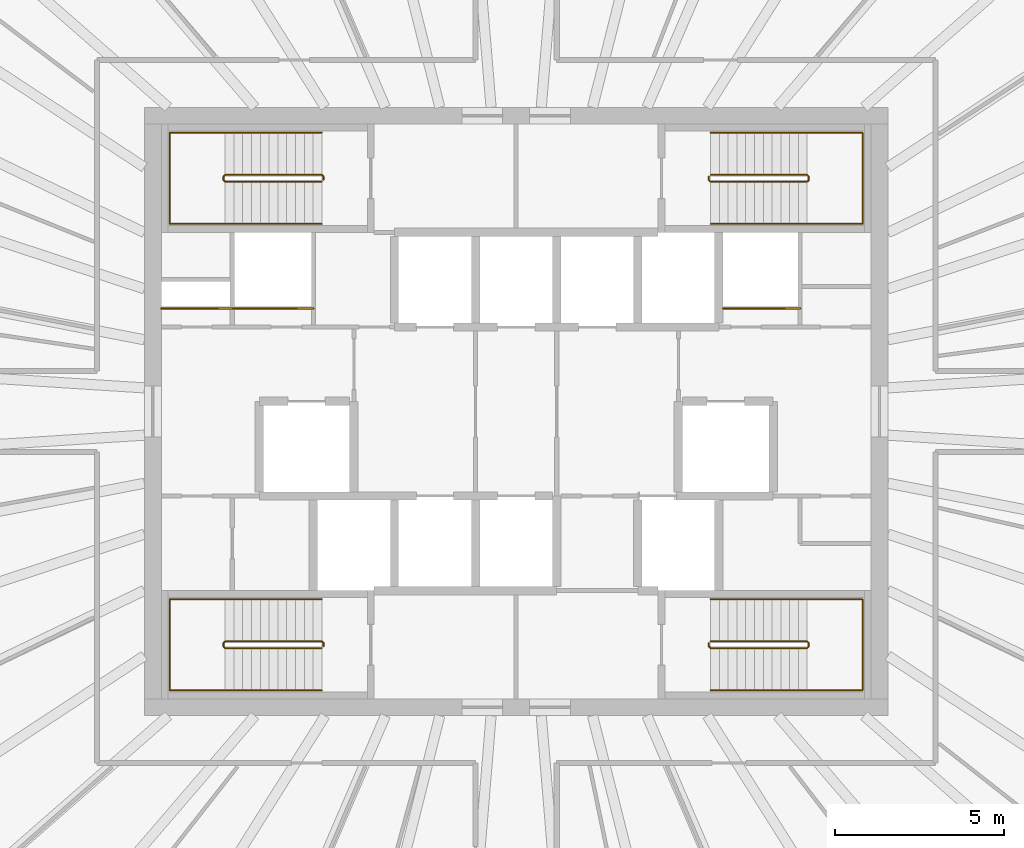
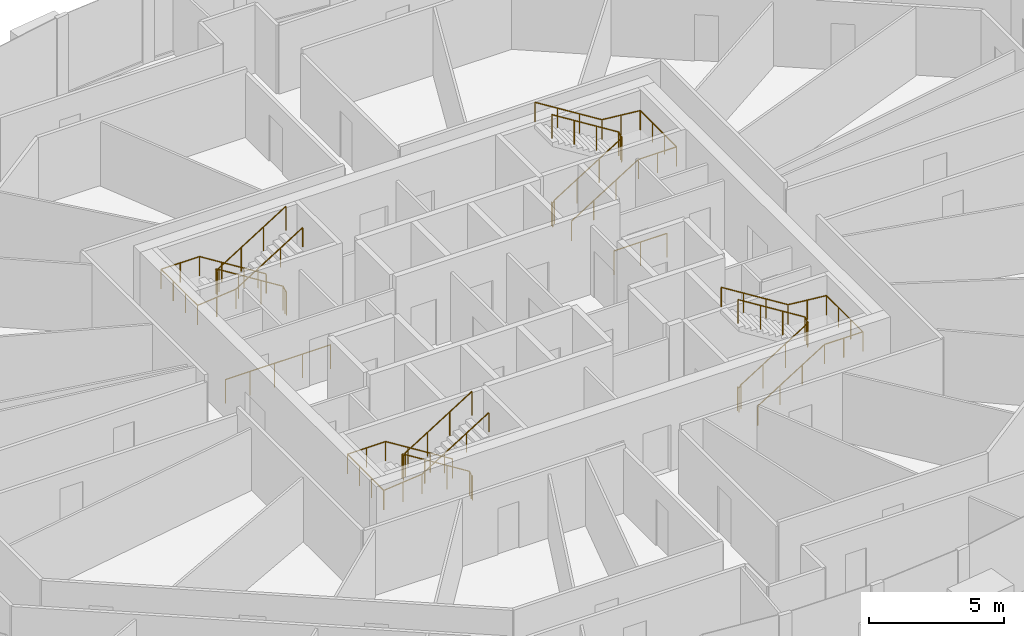
# One storey, part 12 of 12: 11 railings.
"""IFC4 building model written with IfcOpenShell, lengths in metres."""

from ifc_helpers import new_model, si_unit, direction, frame, origin, origin_2d, place, context, subcontext, project, spatial, circle, extrude, source, transform, mapped, material, type_object, element, save


model = new_model("IFC4")

# Units and contexts
model_context = context("Model", 3, precision=1e-05, world=origin(), true_north=direction((0.0, 1.0)))
body_context = subcontext(model_context, "Body", "Model", "MODEL_VIEW")
ifc_project = project(units=[si_unit("LENGTHUNIT", "METRE"), si_unit("AREAUNIT", "SQUARE_METRE"), si_unit("VOLUMEUNIT", "CUBIC_METRE"), si_unit("PLANEANGLEUNIT", "RADIAN"), si_unit("MASSUNIT", "GRAM", prefix="KILO")], contexts=[model_context])

# Site, building, storey
site_placement = place(None, origin())
site = spatial("IfcSite", under=ifc_project, at=site_placement, CompositionType="ELEMENT")
building_placement = place(site_placement, origin())
building = spatial("IfcBuilding", under=site, at=building_placement, Name="Embergate Tower", CompositionType="ELEMENT")
storey_placement = place(building_placement, frame((0.0, 0.0, 281.199951171875)))
storey = spatial("IfcBuildingStorey", under=building, at=storey_placement, Name="L65", CompositionType="ELEMENT", Elevation=281.199951171875)

# Railings
ifc_material_1 = material(Name="Stair guard 1100")
railing_type_1 = type_object("IfcRailingType", Name="Stair guard 1100", PredefinedType="GUARDRAIL", material=ifc_material_1)
shared_shape_1 = source(origin(), body_context, "Body", "SweptSolid", [
    extrude(circle(Radius=0.02392578125, at=origin_2d()), frame((0.0, 0.0, 1.076171875), z_axis=(0.0, 1.0, 0.0), x_axis=(-1.0, 0.0, 0.0)), (0.0, 0.0, 1.0), 0.099853515625),
    extrude(circle(Radius=0.02392578125, at=origin_2d()), frame((0.0, 0.099853515625, 1.076171875), z_axis=(-0.282227285176, 0.282227285176, 0.916894497205), x_axis=(-0.707106781187, -0.707106781187, 0.0)), (0.0, 0.0, 1.0), 0.17724609375),
    extrude(circle(Radius=0.02392578125, at=origin_2d()), frame((-0.050048828125, 0.14990234375, 1.23876953125), z_axis=(-0.848026770018, 0.0, 0.529953391661), x_axis=(0.0, -1.0, 0.0)), (0.0, 0.0, 1.0), 3.37255859375),
    extrude(circle(Radius=0.02392578125, at=origin_2d()), frame((-2.91015625, 0.14990234375, 3.02587890625), z_axis=(-0.705375805398, -0.708833529934, 0.0), x_axis=(0.708833529934, -0.705375805398, 0.0)), (0.0, 0.0, 1.0), 0.070556640625),
    extrude(circle(Radius=0.02392578125, at=origin_2d()), frame((-2.9599609375, 0.099853515625, 3.02587890625), z_axis=(0.0, -1.0, 0.0), x_axis=(1.0, 0.0, 0.0)), (0.0, 0.0, 1.0), 0.099853515625),
    extrude(circle(Radius=0.02392578125, at=origin_2d()), frame((-2.9599609375, 0.0, 3.02587890625), z_axis=(0.280959487676, -0.282336740067, 0.917250092119), x_axis=(0.708833529934, 0.705375805398, 0.0)), (0.0, 0.0, 1.0), 0.17724609375),
    extrude(circle(Radius=0.02392578125, at=origin_2d()), frame((-2.91015625, -0.050048828125, 3.1884765625), z_axis=(0.847994237388, 0.0, 0.530005446535), x_axis=(0.0, 1.0, 0.0)), (0.0, 0.0, 1.0), 3.372802734375),
    extrude(circle(Radius=0.02099609375, at=origin_2d()), origin(), (0.0, 0.0, 1.0), 1.052001953125),
    extrude(circle(Radius=0.02099609375, at=origin_2d()), frame((0.0, 0.099853515625, 0.0)), (0.0, 0.0, 1.0), 1.052001953125),
    extrude(circle(Radius=0.02099609375, at=origin_2d()), frame((-0.050048828125, 0.14990234375, 0.16259765625)), (0.0, 0.0, 1.0), 1.052001953125),
    extrude(circle(Radius=0.02099609375, at=origin_2d()), frame((-1.00341796875, 0.14990234375, 0.75830078125)), (0.0, 0.0, 1.0), 1.052001953125),
    extrude(circle(Radius=0.02099609375, at=origin_2d()), frame((-1.956787109375, 0.14990234375, 1.354248046875)), (0.0, 0.0, 1.0), 1.052001953125),
    extrude(circle(Radius=0.02099609375, at=origin_2d()), frame((-2.91015625, 0.14990234375, 1.949951171875)), (0.0, 0.0, 1.0), 1.052001953125),
    extrude(circle(Radius=0.02099609375, at=origin_2d()), frame((-2.9599609375, 0.099853515625, 1.949951171875)), (0.0, 0.0, 1.0), 1.052001953125),
    extrude(circle(Radius=0.02099609375, at=origin_2d()), frame((-2.9599609375, 0.0, 1.949951171875)), (0.0, 0.0, 1.0), 1.052001953125),
    extrude(circle(Radius=0.02099609375, at=origin_2d()), frame((-2.91015625, -0.050048828125, 2.112548828125)), (0.0, 0.0, 1.0), 1.052001953125),
    extrude(circle(Radius=0.02099609375, at=origin_2d()), frame((-1.956787109375, -0.050048828125, 2.70849609375)), (0.0, 0.0, 1.0), 1.052001953125),
    extrude(circle(Radius=0.02099609375, at=origin_2d()), frame((-1.00341796875, -0.050048828125, 3.30419921875)), (0.0, 0.0, 1.0), 1.052001953125),
    extrude(circle(Radius=0.02099609375, at=origin_2d()), frame((-0.050048828125, -0.050048828125, 3.900146484375)), (0.0, 0.0, 1.0), 1.052001953125),
])
for number, where, name in (
    (1, (-5.699951171875, 6.85009765625, 0.0), "L65 ST1 stair guard 1"),
    (2, (-5.699951171875, -6.949951171875, 0.0), "L65 ST3 stair guard 1"),
):
    element("IfcRailing", number, at=place(storey_placement, frame(where)), inside=storey, type_object=railing_type_1, Name=name, PredefinedType="GUARDRAIL", context=body_context, shape_type="MappedRepresentation", body=[
        mapped(shared_shape_1, transform((0.0, 0.0, 0.0))),
    ])
ifc_material_2 = material(Name="Stair handrail 900")
railing_type_2 = type_object("IfcRailingType", Name="Stair handrail 900", PredefinedType="HANDRAIL", material=ifc_material_2)
shared_shape_2 = source(origin(), body_context, "Body", "SweptSolid", [
    extrude(circle(Radius=0.02392578125, at=origin_2d()), frame((0.0, 0.0, 0.8759765625), z_axis=(-0.848026770018, 0.0, 0.529953391661), x_axis=(0.0, -1.0, 0.0)), (0.0, 0.0, 1.0), 3.37255859375),
    extrude(circle(Radius=0.02392578125, at=origin_2d()), frame((-2.860107421875, 0.0, 2.6630859375), z_axis=(-1.0, 0.0, 0.0), x_axis=(0.0, -1.0, 0.0)), (0.0, 0.0, 1.0), 1.639892578125),
    extrude(circle(Radius=0.02392578125, at=origin_2d()), frame((-4.5, 0.0, 2.6630859375), z_axis=(0.0, -1.0, 0.0), x_axis=(1.0, 0.0, 0.0)), (0.0, 0.0, 1.0), 2.699951171875),
    extrude(circle(Radius=0.02392578125, at=origin_2d()), frame((-4.5, -2.699951171875, 2.6630859375), z_axis=(0.995120448088, 0.0, 0.098667592441), x_axis=(0.0, 1.0, 0.0)), (0.0, 0.0, 1.0), 1.64794921875),
    extrude(circle(Radius=0.02392578125, at=origin_2d()), frame((-2.860107421875, -2.699951171875, 2.82568359375), z_axis=(0.847994237388, 0.0, 0.530005446535), x_axis=(0.0, 1.0, 0.0)), (0.0, 0.0, 1.0), 3.372802734375),
    extrude(circle(Radius=0.02099609375, at=origin_2d()), origin(), (0.0, 0.0, 1.0), 0.851806640625),
    extrude(circle(Radius=0.02099609375, at=origin_2d()), frame((-0.953369140625, 0.0, 0.595703125)), (0.0, 0.0, 1.0), 0.851806640625),
    extrude(circle(Radius=0.02099609375, at=origin_2d()), frame((-1.90673828125, 0.0, 1.191650390625)), (0.0, 0.0, 1.0), 0.851806640625),
    extrude(circle(Radius=0.02099609375, at=origin_2d()), frame((-2.860107421875, 0.0, 1.787353515625)), (0.0, 0.0, 1.0), 0.851806640625),
    extrude(circle(Radius=0.02099609375, at=origin_2d()), frame((-3.68017578125, 0.0, 1.787353515625)), (0.0, 0.0, 1.0), 0.851806640625),
    extrude(circle(Radius=0.02099609375, at=origin_2d()), frame((-4.5, 0.0, 1.787353515625)), (0.0, 0.0, 1.0), 0.851806640625),
    extrude(circle(Radius=0.02099609375, at=origin_2d()), frame((-4.5, -0.89990234375, 1.787353515625)), (0.0, 0.0, 1.0), 0.851806640625),
    extrude(circle(Radius=0.02099609375, at=origin_2d()), frame((-4.5, -1.800048828125, 1.787353515625)), (0.0, 0.0, 1.0), 0.851806640625),
    extrude(circle(Radius=0.02099609375, at=origin_2d()), frame((-4.5, -2.699951171875, 1.787353515625)), (0.0, 0.0, 1.0), 0.851806640625),
    extrude(circle(Radius=0.02099609375, at=origin_2d()), frame((-3.68017578125, -2.699951171875, 1.86865234375)), (0.0, 0.0, 1.0), 0.851806640625),
    extrude(circle(Radius=0.02099609375, at=origin_2d()), frame((-2.860107421875, -2.699951171875, 1.949951171875)), (0.0, 0.0, 1.0), 0.851806640625),
    extrude(circle(Radius=0.02099609375, at=origin_2d()), frame((-1.90673828125, -2.699951171875, 2.5458984375)), (0.0, 0.0, 1.0), 0.851806640625),
    extrude(circle(Radius=0.02099609375, at=origin_2d()), frame((-0.953369140625, -2.699951171875, 3.1416015625)), (0.0, 0.0, 1.0), 0.851806640625),
    extrude(circle(Radius=0.02099609375, at=origin_2d()), frame((0.0, -2.699951171875, 3.737548828125)), (0.0, 0.0, 1.0), 0.851806640625),
])
for number, where, name in (
    (3, (-5.75, 8.25, 0.16259765625), "L65 ST1 stair handrail 1"),
    (4, (-5.75, -5.550048828125, 0.16259765625), "L65 ST3 stair handrail 1"),
):
    element("IfcRailing", number, at=place(storey_placement, frame(where)), inside=storey, type_object=railing_type_2, Name=name, PredefinedType="HANDRAIL", context=body_context, shape_type="MappedRepresentation", body=[
        mapped(shared_shape_2, transform((0.0, 0.0, 0.0))),
    ])
shared_shape_3 = source(origin(), body_context, "Body", "SweptSolid", [
    extrude(circle(Radius=0.02392578125, at=origin_2d()), frame((0.0, 0.0, 1.076171875), z_axis=(0.0, -1.0, 0.0), x_axis=(1.0, 0.0, 0.0)), (0.0, 0.0, 1.0), 0.099853515625),
    extrude(circle(Radius=0.02392578125, at=origin_2d()), frame((0.0, -0.099853515625, 1.076171875), z_axis=(0.282227285176, -0.282227285176, 0.916894497205), x_axis=(0.707106781187, 0.707106781187, 0.0)), (0.0, 0.0, 1.0), 0.17724609375),
    extrude(circle(Radius=0.02392578125, at=origin_2d()), frame((0.050048828125, -0.14990234375, 1.23876953125), z_axis=(0.848026770018, 0.0, 0.529953391661), x_axis=(0.0, 1.0, 0.0)), (0.0, 0.0, 1.0), 3.37255859375),
    extrude(circle(Radius=0.02392578125, at=origin_2d()), frame((2.91015625, -0.14990234375, 3.02587890625), z_axis=(0.705375805398, 0.708833529934, 0.0), x_axis=(-0.708833529934, 0.705375805398, 0.0)), (0.0, 0.0, 1.0), 0.070556640625),
    extrude(circle(Radius=0.02392578125, at=origin_2d()), frame((2.9599609375, -0.099853515625, 3.02587890625), z_axis=(0.0, 1.0, 0.0), x_axis=(-1.0, 0.0, 0.0)), (0.0, 0.0, 1.0), 0.099853515625),
    extrude(circle(Radius=0.02392578125, at=origin_2d()), frame((2.9599609375, 0.0, 3.02587890625), z_axis=(-0.280959487676, 0.282336740067, 0.917250092119), x_axis=(-0.708833529934, -0.705375805398, 0.0)), (0.0, 0.0, 1.0), 0.17724609375),
    extrude(circle(Radius=0.02392578125, at=origin_2d()), frame((2.91015625, 0.050048828125, 3.1884765625), z_axis=(-0.847994237388, 0.0, 0.530005446535), x_axis=(0.0, -1.0, 0.0)), (0.0, 0.0, 1.0), 3.372802734375),
    extrude(circle(Radius=0.02099609375, at=origin_2d()), origin(), (0.0, 0.0, 1.0), 1.052001953125),
    extrude(circle(Radius=0.02099609375, at=origin_2d()), frame((0.0, -0.099853515625, 0.0)), (0.0, 0.0, 1.0), 1.052001953125),
    extrude(circle(Radius=0.02099609375, at=origin_2d()), frame((0.050048828125, -0.14990234375, 0.16259765625)), (0.0, 0.0, 1.0), 1.052001953125),
    extrude(circle(Radius=0.02099609375, at=origin_2d()), frame((1.00341796875, -0.14990234375, 0.75830078125)), (0.0, 0.0, 1.0), 1.052001953125),
    extrude(circle(Radius=0.02099609375, at=origin_2d()), frame((1.956787109375, -0.14990234375, 1.354248046875)), (0.0, 0.0, 1.0), 1.052001953125),
    extrude(circle(Radius=0.02099609375, at=origin_2d()), frame((2.91015625, -0.14990234375, 1.949951171875)), (0.0, 0.0, 1.0), 1.052001953125),
    extrude(circle(Radius=0.02099609375, at=origin_2d()), frame((2.9599609375, -0.099853515625, 1.949951171875)), (0.0, 0.0, 1.0), 1.052001953125),
    extrude(circle(Radius=0.02099609375, at=origin_2d()), frame((2.9599609375, 0.0, 1.949951171875)), (0.0, 0.0, 1.0), 1.052001953125),
    extrude(circle(Radius=0.02099609375, at=origin_2d()), frame((2.91015625, 0.050048828125, 2.112548828125)), (0.0, 0.0, 1.0), 1.052001953125),
    extrude(circle(Radius=0.02099609375, at=origin_2d()), frame((1.956787109375, 0.050048828125, 2.70849609375)), (0.0, 0.0, 1.0), 1.052001953125),
    extrude(circle(Radius=0.02099609375, at=origin_2d()), frame((1.00341796875, 0.050048828125, 3.30419921875)), (0.0, 0.0, 1.0), 1.052001953125),
    extrude(circle(Radius=0.02099609375, at=origin_2d()), frame((0.050048828125, 0.050048828125, 3.900146484375)), (0.0, 0.0, 1.0), 1.052001953125),
])
for number, where, name in (
    (5, (5.699951171875, 6.949951171875, 0.0), "L65 ST2 stair guard 1"),
    (6, (5.699951171875, -6.85009765625, 0.0), "L65 ST4 stair guard 1"),
):
    element("IfcRailing", number, at=place(storey_placement, frame(where)), inside=storey, type_object=railing_type_1, Name=name, PredefinedType="GUARDRAIL", context=body_context, shape_type="MappedRepresentation", body=[
        mapped(shared_shape_3, transform((0.0, 0.0, 0.0))),
    ])
shared_shape_4 = source(origin(), body_context, "Body", "SweptSolid", [
    extrude(circle(Radius=0.02392578125, at=origin_2d()), frame((0.0, 0.0, 0.8759765625), z_axis=(0.848026770018, 0.0, 0.529953391661), x_axis=(0.0, 1.0, 0.0)), (0.0, 0.0, 1.0), 3.37255859375),
    extrude(circle(Radius=0.02392578125, at=origin_2d()), frame((2.860107421875, 0.0, 2.6630859375), z_axis=(1.0, 0.0, 0.0), x_axis=(0.0, 1.0, 0.0)), (0.0, 0.0, 1.0), 1.639892578125),
    extrude(circle(Radius=0.02392578125, at=origin_2d()), frame((4.5, 0.0, 2.6630859375), z_axis=(0.0, 1.0, 0.0), x_axis=(-1.0, 0.0, 0.0)), (0.0, 0.0, 1.0), 2.699951171875),
    extrude(circle(Radius=0.02392578125, at=origin_2d()), frame((4.5, 2.699951171875, 2.6630859375), z_axis=(-0.995120448088, 0.0, 0.098667592441), x_axis=(0.0, -1.0, 0.0)), (0.0, 0.0, 1.0), 1.64794921875),
    extrude(circle(Radius=0.02392578125, at=origin_2d()), frame((2.860107421875, 2.699951171875, 2.82568359375), z_axis=(-0.847994237388, 0.0, 0.530005446535), x_axis=(0.0, -1.0, 0.0)), (0.0, 0.0, 1.0), 3.372802734375),
    extrude(circle(Radius=0.02099609375, at=origin_2d()), origin(), (0.0, 0.0, 1.0), 0.851806640625),
    extrude(circle(Radius=0.02099609375, at=origin_2d()), frame((0.953369140625, 0.0, 0.595703125)), (0.0, 0.0, 1.0), 0.851806640625),
    extrude(circle(Radius=0.02099609375, at=origin_2d()), frame((1.90673828125, 0.0, 1.191650390625)), (0.0, 0.0, 1.0), 0.851806640625),
    extrude(circle(Radius=0.02099609375, at=origin_2d()), frame((2.860107421875, 0.0, 1.787353515625)), (0.0, 0.0, 1.0), 0.851806640625),
    extrude(circle(Radius=0.02099609375, at=origin_2d()), frame((3.68017578125, 0.0, 1.787353515625)), (0.0, 0.0, 1.0), 0.851806640625),
    extrude(circle(Radius=0.02099609375, at=origin_2d()), frame((4.5, 0.0, 1.787353515625)), (0.0, 0.0, 1.0), 0.851806640625),
    extrude(circle(Radius=0.02099609375, at=origin_2d()), frame((4.5, 0.89990234375, 1.787353515625)), (0.0, 0.0, 1.0), 0.851806640625),
    extrude(circle(Radius=0.02099609375, at=origin_2d()), frame((4.5, 1.800048828125, 1.787353515625)), (0.0, 0.0, 1.0), 0.851806640625),
    extrude(circle(Radius=0.02099609375, at=origin_2d()), frame((4.5, 2.699951171875, 1.787353515625)), (0.0, 0.0, 1.0), 0.851806640625),
    extrude(circle(Radius=0.02099609375, at=origin_2d()), frame((3.68017578125, 2.699951171875, 1.86865234375)), (0.0, 0.0, 1.0), 0.851806640625),
    extrude(circle(Radius=0.02099609375, at=origin_2d()), frame((2.860107421875, 2.699951171875, 1.949951171875)), (0.0, 0.0, 1.0), 0.851806640625),
    extrude(circle(Radius=0.02099609375, at=origin_2d()), frame((1.90673828125, 2.699951171875, 2.5458984375)), (0.0, 0.0, 1.0), 0.851806640625),
    extrude(circle(Radius=0.02099609375, at=origin_2d()), frame((0.953369140625, 2.699951171875, 3.1416015625)), (0.0, 0.0, 1.0), 0.851806640625),
    extrude(circle(Radius=0.02099609375, at=origin_2d()), frame((0.0, 2.699951171875, 3.737548828125)), (0.0, 0.0, 1.0), 0.851806640625),
])
for number, where, name in (
    (7, (5.75, 5.550048828125, 0.16259765625), "L65 ST2 stair handrail 1"),
    (8, (5.75, -8.25, 0.16259765625), "L65 ST4 stair handrail 1"),
):
    element("IfcRailing", number, at=place(storey_placement, frame(where)), inside=storey, type_object=railing_type_2, Name=name, PredefinedType="HANDRAIL", context=body_context, shape_type="MappedRepresentation", body=[
        mapped(shared_shape_4, transform((0.0, 0.0, 0.0))),
    ])
ifc_material_3 = material(Name="Opening guard 1100")
railing_type_3 = type_object("IfcRailingType", Name="Opening guard 1100", PredefinedType="GUARDRAIL", material=ifc_material_3)
shared_shape_5 = source(origin(), body_context, "Body", "SweptSolid", [
    extrude(circle(Radius=0.02392578125, at=origin_2d()), frame((0.0, 0.0, 1.076171875), z_axis=(1.0, 0.0, 0.0), x_axis=(0.0, 1.0, 0.0)), (0.0, 0.0, 1.0), 2.27490234375),
    extrude(circle(Radius=0.02099609375, at=origin_2d()), origin(), (0.0, 0.0, 1.0), 1.052001953125),
    extrude(circle(Radius=0.02099609375, at=origin_2d()), frame((1.137451171875, 0.0, 0.0)), (0.0, 0.0, 1.0), 1.052001953125),
    extrude(circle(Radius=0.02099609375, at=origin_2d()), frame((2.27490234375, 0.0, 0.0)), (0.0, 0.0, 1.0), 1.052001953125),
])
railing_1_placement = place(storey_placement, frame((6.125, 3.050048828125, 0.0)))
element("IfcRailing", 9, at=railing_1_placement, inside=storey, type_object=railing_type_3, Name="Riser opening guard", PredefinedType="GUARDRAIL", context=body_context, shape_type="MappedRepresentation", body=[
    mapped(shared_shape_5, transform((0.0, 0.0, 0.0))),
])
shared_shape_6 = source(origin(), body_context, "Body", "SweptSolid", [
    extrude(circle(Radius=0.02392578125, at=origin_2d()), frame((0.0, 0.0, 1.076171875), z_axis=(1.0, 0.0, 0.0), x_axis=(0.0, 1.0, 0.0)), (0.0, 0.0, 1.0), 2.39990234375),
    extrude(circle(Radius=0.02099609375, at=origin_2d()), origin(), (0.0, 0.0, 1.0), 1.052001953125),
    extrude(circle(Radius=0.02099609375, at=origin_2d()), frame((1.199951171875, 0.0, 0.0)), (0.0, 0.0, 1.0), 1.052001953125),
    extrude(circle(Radius=0.02099609375, at=origin_2d()), frame((2.39990234375, 0.0, 0.0)), (0.0, 0.0, 1.0), 1.052001953125),
])
railing_2_placement = place(storey_placement, frame((-8.39990234375, 3.050048828125, 0.0)))
element("IfcRailing", 10, at=railing_2_placement, inside=storey, type_object=railing_type_3, Name="Riser opening guard", PredefinedType="GUARDRAIL", context=body_context, shape_type="MappedRepresentation", body=[
    mapped(shared_shape_6, transform((0.0, 0.0, 0.0))),
])
shared_shape_7 = source(origin(), body_context, "Body", "SweptSolid", [
    extrude(circle(Radius=0.02392578125, at=origin_2d()), frame((0.0, 0.0, 1.076171875), z_axis=(1.0, 0.0, 0.0), x_axis=(0.0, 1.0, 0.0)), (0.0, 0.0, 1.0), 2.10009765625),
    extrude(circle(Radius=0.02099609375, at=origin_2d()), origin(), (0.0, 0.0, 1.0), 1.052001953125),
    extrude(circle(Radius=0.02099609375, at=origin_2d()), frame((1.050048828125, 0.0, 0.0)), (0.0, 0.0, 1.0), 1.052001953125),
    extrude(circle(Radius=0.02099609375, at=origin_2d()), frame((2.10009765625, 0.0, 0.0)), (0.0, 0.0, 1.0), 1.052001953125),
])
railing_3_placement = place(storey_placement, frame((-10.5, 3.050048828125, 0.0)))
element("IfcRailing", 11, at=railing_3_placement, inside=storey, type_object=railing_type_3, Name="Riser opening guard", PredefinedType="GUARDRAIL", context=body_context, shape_type="MappedRepresentation", body=[
    mapped(shared_shape_7, transform((0.0, 0.0, 0.0))),
])

save(model, "model.ifc")
